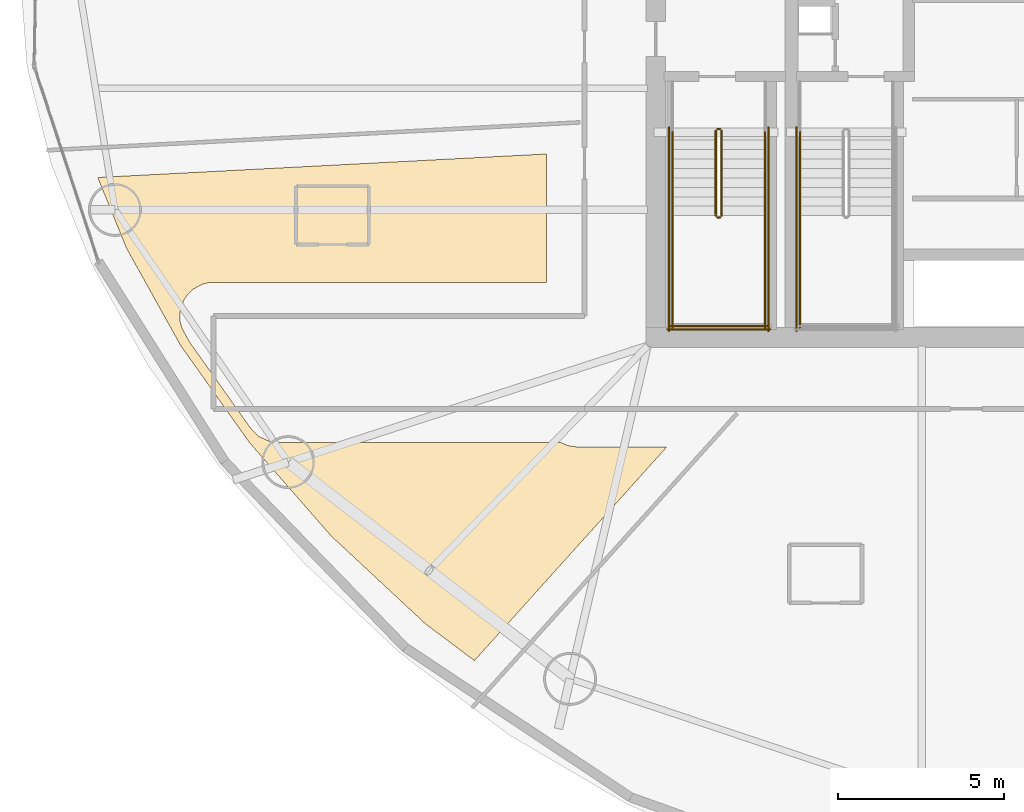
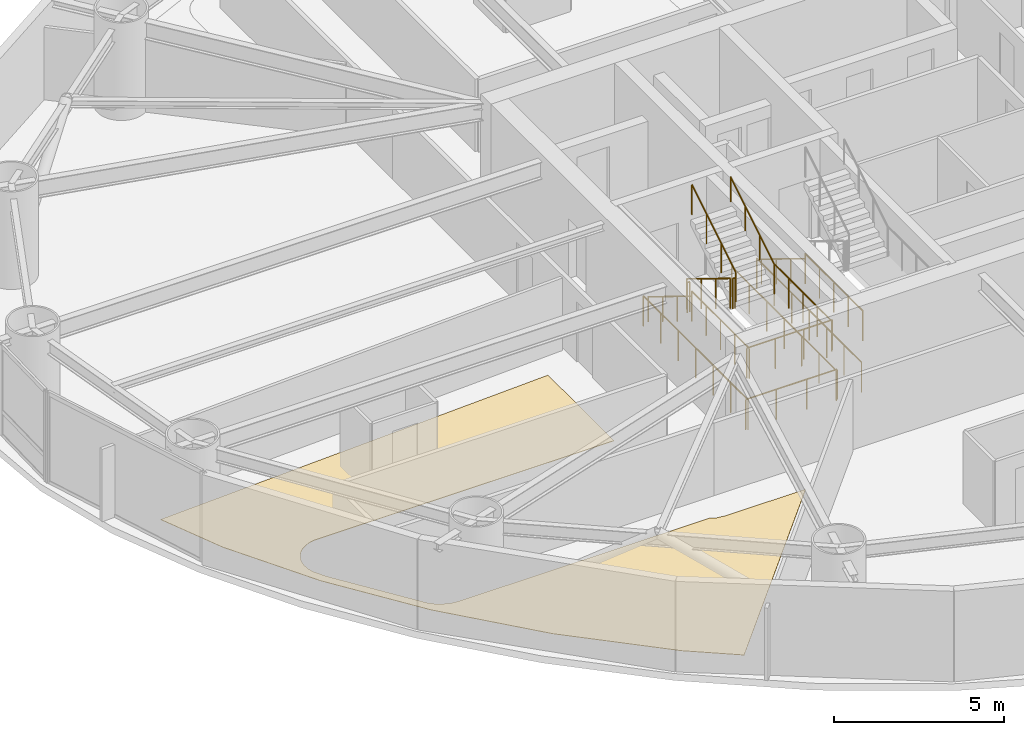
# One storey, part 21 of 24: 15 railings, 1 covering.
"""IFC4 building model written with IfcOpenShell, lengths in metres."""

import ifcopenshell
import ifcopenshell.guid

model = None  # the IFC model being written
_history = None  # IfcOwnerHistory: only IFC2X3 demands one
_inside = {}  # id of a spatial element -> (the spatial element, [elements in it])
_under = {}  # id of a project, library or spatial element -> (it, [spatial elements below it])
_declared = {}  # id of a project -> (the project, [libraries it declares])
_typed = {}  # id of a type object -> (the type object, [elements of that type])
_made_of = {}  # id of a material, layer set ... -> (it, [elements and type objects made of it])


def new_model(schema):
    """Start an empty IFC model of exactly this schema.

    Asked for "IFC4X3", IfcOpenShell would pick the latest addendum, in which some entities
    have other attributes; the version numbers below select the first issue.
    IFC2X3 requires an IfcOwnerHistory on every rooted entity: one is made here for all.
    """
    global model, _history
    if schema == "IFC4X3":
        model = ifcopenshell.file(schema_version=(4, 3, 0, 0))
    else:
        model = ifcopenshell.file(schema=schema)
    _inside.clear()
    _under.clear()
    _declared.clear()
    _typed.clear()
    _made_of.clear()
    _history = None
    if model.schema == "IFC2X3":
        org = make("IfcOrganization", Name="unknown")
        user = make(
            "IfcPersonAndOrganization",
            ThePerson=make("IfcPerson", FamilyName="unknown"),
            TheOrganization=org,
        )
        app = make(
            "IfcApplication",
            ApplicationDeveloper=org,
            Version="unknown",
            ApplicationFullName="unknown",
            ApplicationIdentifier="unknown",
        )
        _history = make(
            "IfcOwnerHistory",
            OwningUser=user,
            OwningApplication=app,
            ChangeAction="ADDED",
            CreationDate=0,
        )
    return model


def make(cls, **values):
    """One entity of the class cls with the attributes given. An attribute that is None is left unset."""
    return model.create_entity(
        cls, **{name: value for name, value in values.items() if value is not None}
    )


def rooted(cls, **values):
    """An entity with a GlobalId (a new one), such as an element, a storey or a relation."""
    return make(cls, GlobalId=ifcopenshell.guid.new(), OwnerHistory=_history, **values)


def si_unit(unit_type, name, prefix=None):
    """IfcSIUnit, for example si_unit("LENGTHUNIT", "METRE", prefix="MILLI")."""
    return make("IfcSIUnit", UnitType=unit_type, Prefix=prefix, Name=name)


def assignment(units):
    """IfcUnitAssignment: the units of a project."""
    return None if units is None else make("IfcUnitAssignment", Units=units)


def point(xyz):
    """IfcCartesianPoint."""
    return None if xyz is None else make("IfcCartesianPoint", Coordinates=xyz)


def direction(xyz):
    """IfcDirection."""
    return None if xyz is None else make("IfcDirection", DirectionRatios=xyz)


def frame(location, z_axis=None, x_axis=None):
    """IfcAxis2Placement3D, a coordinate frame: its origin and axes. An axis left out is left unset."""
    return make(
        "IfcAxis2Placement3D",
        Location=point(location),
        Axis=direction(z_axis),
        RefDirection=direction(x_axis),
    )


def frame_2d(location, x_axis=None):
    """IfcAxis2Placement2D, a coordinate frame in the plane: its origin and x axis."""
    return make(
        "IfcAxis2Placement2D", Location=point(location), RefDirection=direction(x_axis)
    )


def origin():
    """The frame at (0, 0, 0) with its axes left unset."""
    return frame((0.0, 0.0, 0.0))


def origin_2d():
    """The frame at (0, 0) in the plane with its x axis left unset."""
    return frame_2d((0.0, 0.0))


def place(relative_to, where):
    """IfcLocalPlacement: puts the frame where relative to a parent placement (None: the world)."""
    return make(
        "IfcLocalPlacement", PlacementRelTo=relative_to, RelativePlacement=where
    )


def context(
    kind, dimensions, precision=None, world=None, true_north=None, identifier=None
):
    """IfcGeometricRepresentationContext, for example the 3D "Model" context."""
    return make(
        "IfcGeometricRepresentationContext",
        ContextIdentifier=identifier,
        ContextType=kind,
        CoordinateSpaceDimension=dimensions,
        Precision=precision,
        WorldCoordinateSystem=world,
        TrueNorth=true_north,
    )


def subcontext(parent, identifier, kind, view, scale=None):
    """IfcGeometricRepresentationSubContext, for example "Body" below "Model"."""
    return make(
        "IfcGeometricRepresentationSubContext",
        ContextIdentifier=identifier,
        ContextType=kind,
        ParentContext=parent,
        TargetScale=scale,
        TargetView=view,
    )


def project(units=None, contexts=None):
    """IfcProject with its units and contexts."""
    return rooted(
        "IfcProject",
        Name="project",
        RepresentationContexts=contexts,
        UnitsInContext=assignment(units),
    )


def spatial(cls, under=None, at=None, **own):
    """A site, building, storey or space (cls), placed at a placement, below another one or the project."""
    s = rooted(cls, ObjectPlacement=at, **own)
    if under is not None:
        _under.setdefault(under.id(), (under, []))[1].append(s)
    return s


def polyline(points):
    """IfcPolyline through the points."""
    return make("IfcPolyline", Points=[point(p) for p in points])


def profile(cls, at=None, kind="AREA", **sizes):
    """A parametric profile (cls). Its sizes go by their IFC names, for example OverallWidth=200.0."""
    return make(cls, ProfileType=kind, Position=at, **sizes)


def circle(**sizes):
    """IfcCircleProfileDef."""
    return profile("IfcCircleProfileDef", **sizes)


def outline(outer, holes=None, kind="AREA"):
    """IfcArbitraryClosedProfileDef: a profile drawn as a closed curve; with holes, ...WithVoids."""
    if holes is None:
        return make("IfcArbitraryClosedProfileDef", ProfileType=kind, OuterCurve=outer)
    return make(
        "IfcArbitraryProfileDefWithVoids",
        ProfileType=kind,
        OuterCurve=outer,
        InnerCurves=holes,
    )


def extrude(swept, where, along, depth):
    """IfcExtrudedAreaSolid: the profile swept, set in the frame where, extruded along a direction by depth."""
    return make(
        "IfcExtrudedAreaSolid",
        SweptArea=swept,
        Position=where,
        ExtrudedDirection=direction(along),
        Depth=depth,
    )


def shape(context_of_items, identifier, shape_type, items):
    """IfcShapeRepresentation: the items that make up one representation, for example the "Body"."""
    return make(
        "IfcShapeRepresentation",
        ContextOfItems=context_of_items,
        RepresentationIdentifier=identifier,
        RepresentationType=shape_type,
        Items=items,
    )


def material(Name=None, Category=None):
    """IfcMaterial."""
    return make("IfcMaterial", Name=Name, Category=Category)


def layer(
    of_material, thickness, ventilated=None, Name=None, Category=None, Priority=None
):
    """IfcMaterialLayer: one layer of a wall or slab, of a material (None: an air gap)."""
    return make(
        "IfcMaterialLayer",
        Material=of_material,
        LayerThickness=thickness,
        IsVentilated=ventilated,
        Name=Name,
        Category=Category,
        Priority=Priority,
    )


def layer_set(layers, Name=None):
    """IfcMaterialLayerSet."""
    return make("IfcMaterialLayerSet", MaterialLayers=layers, LayerSetName=Name)


def made_of(thing, what):
    """Note that an element or type object is made of a material, layer set ...; save() writes the relation."""
    if what is not None:
        _made_of.setdefault(what.id(), (what, []))[1].append(thing)
    return thing


def type_object(cls, material=None, **own):
    """A type object (cls), such as IfcWallType, which elements share."""
    return made_of(rooted(cls, **own), material)


def element(
    cls,
    number,
    at=None,
    inside=None,
    cuts=None,
    type_object=None,
    material=None,
    context=None,
    identifier="Body",
    shape_type=None,
    held_by="IfcProductDefinitionShape",
    body=None,
    shapes=None,
    **own,
):
    """One element of the class cls, such as IfcWall. Its Tag is "e" and its number.

    at: its placement. inside: the storey or other place that contains it. cuts: it is an
    opening in that element (IfcRelVoidsElement). A single representation is given by context,
    identifier, shape_type and body (its items); several are given by shapes. held_by: the class
    of the entity that holds the representations. save() writes the other relations.
    """
    e = rooted(cls, Tag="e%d" % number, ObjectPlacement=at, **own)
    if body is not None:
        shapes = [shape(context, identifier, shape_type, body)]
    if shapes is not None:
        e.Representation = make(held_by, Representations=shapes)
    if inside is not None:
        _inside.setdefault(inside.id(), (inside, []))[1].append(e)
    if cuts is not None:
        rooted(
            "IfcRelVoidsElement", RelatingBuildingElement=cuts, RelatedOpeningElement=e
        )
    if type_object is not None:
        _typed.setdefault(type_object.id(), (type_object, []))[1].append(e)
    return made_of(e, material)


def aggregate(whole, parts):
    """IfcRelAggregates: a whole, such as a stair, and the parts it consists of."""
    return rooted("IfcRelAggregates", RelatingObject=whole, RelatedObjects=parts)


def save(model, path):
    """Write the relations noted so far, then the file.

    IfcRelAggregates (storeys below a building ...), IfcRelContainedInSpatialStructure (elements
    in a storey), IfcRelDefinesByType, IfcRelAssociatesMaterial and IfcRelDeclares: one each for
    every whole, place, type object, material and project.
    """
    for whole, parts in _under.values():
        aggregate(whole, parts)
    for where, things in _inside.values():
        rooted(
            "IfcRelContainedInSpatialStructure",
            RelatedElements=things,
            RelatingStructure=where,
        )
    for kind, things in _typed.values():
        rooted("IfcRelDefinesByType", RelatedObjects=things, RelatingType=kind)
    for what, things in _made_of.values():
        rooted("IfcRelAssociatesMaterial", RelatedObjects=things, RelatingMaterial=what)
    for by, libraries in _declared.values():
        rooted("IfcRelDeclares", RelatingContext=by, RelatedDefinitions=libraries)
    model.write(path)


model = new_model("IFC4")

# Units and contexts
model_context = context("Model", 3, precision=1e-05, world=origin(), true_north=direction((0.0, 1.0)))
body_context = subcontext(model_context, "Body", "Model", "MODEL_VIEW")
ifc_project = project(units=[si_unit("LENGTHUNIT", "METRE"), si_unit("AREAUNIT", "SQUARE_METRE"), si_unit("VOLUMEUNIT", "CUBIC_METRE"), si_unit("PLANEANGLEUNIT", "RADIAN"), si_unit("MASSUNIT", "GRAM", prefix="KILO")], contexts=[model_context])

# Site, building, storey
site_placement = place(None, origin())
site = spatial("IfcSite", under=ifc_project, at=site_placement, CompositionType="ELEMENT")
building_placement = place(site_placement, origin())
building = spatial("IfcBuilding", under=site, at=building_placement, Name="Bramvorn Convention Spire", CompositionType="ELEMENT")
storey_placement = place(building_placement, frame((0.0, 0.0, 83.39990234375)))
storey = spatial("IfcBuildingStorey", under=building, at=storey_placement, Name="L19", CompositionType="ELEMENT", Elevation=83.39990234375)

# Covering
ifc_material_1 = material(Name="Solution-Dyed Wool Broadloom Hospitality Carpet", Category="textile")
ifc_layer = layer(ifc_material_1, 0.014892578125)
ifc_layer_set = layer_set([ifc_layer], Name="Solution-Dyed Wool Broadloom Hospitality Carpet - FLR-CARPET-15")
covering_type = type_object("IfcCoveringType", Name="FLR-CARPET-15", PredefinedType="FLOORING", material=ifc_layer_set)
covering_placement = place(storey_placement, origin())
element("IfcCovering", 1, at=covering_placement, inside=storey, type_object=covering_type, Name="Hotel Suite 1905 wool broadloom carpet", PredefinedType="FLOORING", context=body_context, shape_type="SweptSolid", body=[
    extrude(outline(polyline([(11.009521484375, 21.500244140625), (12.64306640625, 18.565673828125), (14.71533203125, 15.639892578125), (17.194091796875, 12.80517578125), (20.041748046875, 10.15234375), (21.521240234375, 9.043701171875), (27.334716796875, 15.5), (24.60009765625, 15.5), (24.338623046875, 15.538818359375), (24.13623046875, 15.6298828125), (15.593017578125, 15.6298828125), (15.34619140625, 15.660400390625), (15.004638671875, 15.81689453125), (14.786376953125, 16.02587890625), (12.912353515625, 18.669921875), (12.68603515625, 19.085693359375), (12.6328125, 19.2802734375), (12.61962890625, 19.4931640625), (12.64794921875, 19.692626953125), (12.75634765625, 19.961669921875), (12.874267578125, 20.125244140625), (13.031494140625, 20.26953125), (13.28662109375, 20.4072265625), (13.49365234375, 20.45947265625), (23.699951171875, 20.469970703125), (23.699951171875, 24.349365234375), (10.14013671875, 23.638671875), (11.009521484375, 21.500244140625)])), origin(), (0.0, 0.0, 1.0), 0.01513671875),
])

# Railings
ifc_material_2 = material(Name="Painted Steel Balustrade & Guardrail", Category="steel")
railing_type_1 = type_object("IfcRailingType", Name="RL-STAIR-GUARD-1100", PredefinedType="GUARDRAIL", material=ifc_material_2)
railing_1_placement = place(storey_placement, frame((28.81005859375, 25.050048828125, 0.175048828125)))
element("IfcRailing", 2, at=railing_1_placement, inside=storey, type_object=railing_type_1, Name="L19 ST1 stair guard 1", PredefinedType="GUARDRAIL", context=body_context, shape_type="SweptSolid", body=[
    extrude(circle(Radius=0.02392578125, at=origin_2d()), frame((0.0, 0.0, 1.076171875), z_axis=(0.0, -0.852173129349, 0.523259933127), x_axis=(1.0, 0.0, 0.0)), (0.0, 0.0, 1.0), 3.009765625),
    extrude(circle(Radius=0.02099609375, at=origin_2d()), origin(), (0.0, 0.0, 1.0), 1.052001953125),
    extrude(circle(Radius=0.02099609375, at=origin_2d()), frame((0.0, -0.85498046875, 0.52490234375)), (0.0, 0.0, 1.0), 1.052001953125),
    extrude(circle(Radius=0.02099609375, at=origin_2d()), frame((0.0, -1.7099609375, 1.050048828125)), (0.0, 0.0, 1.0), 1.052001953125),
    extrude(circle(Radius=0.02099609375, at=origin_2d()), frame((0.0, -2.56494140625, 1.574951171875)), (0.0, 0.0, 1.0), 1.052001953125),
])
railing_2_placement = place(storey_placement, frame((28.860107421875, 22.43505859375, 1.75)))
element("IfcRailing", 3, at=railing_2_placement, inside=storey, type_object=railing_type_1, Name="L19 ST1 stair guard 2", PredefinedType="GUARDRAIL", context=body_context, shape_type="SweptSolid", body=[
    extrude(circle(Radius=0.02392578125, at=origin_2d()), frame((0.0, 0.0, 1.076171875), z_axis=(1.0, 0.0, 0.0), x_axis=(0.0, 1.0, 0.0)), (0.0, 0.0, 1.0), 0.079833984375),
    extrude(circle(Radius=0.02099609375, at=origin_2d()), origin(), (0.0, 0.0, 1.0), 1.052001953125),
    extrude(circle(Radius=0.02099609375, at=origin_2d()), frame((0.079833984375, 0.0, 0.0)), (0.0, 0.0, 1.0), 1.052001953125),
])
for number, where, name in (
    (4, (27.5, 22.485107421875, 1.75), "L19 ST1 stair guard 3"),
    (5, (30.300048828125, 22.485107421875, 1.75), "L19 ST1 stair guard 4"),
):
    element("IfcRailing", number, at=place(storey_placement, frame(where)), inside=storey, type_object=railing_type_1, Name=name, PredefinedType="GUARDRAIL", context=body_context, shape_type="SweptSolid", body=[
        extrude(circle(Radius=0.02392578125, at=origin_2d()), frame((0.0, 0.0, 1.076171875), z_axis=(0.0, -1.0, 0.0), x_axis=(1.0, 0.0, 0.0)), (0.0, 0.0, 1.0), 3.385009765625),
        extrude(circle(Radius=0.02099609375, at=origin_2d()), origin(), (0.0, 0.0, 1.0), 1.052001953125),
        extrude(circle(Radius=0.02099609375, at=origin_2d()), frame((0.0, -0.84619140625, 0.0)), (0.0, 0.0, 1.0), 1.052001953125),
        extrude(circle(Radius=0.02099609375, at=origin_2d()), frame((0.0, -1.6923828125, 0.0)), (0.0, 0.0, 1.0), 1.052001953125),
        extrude(circle(Radius=0.02099609375, at=origin_2d()), frame((0.0, -2.538818359375, 0.0)), (0.0, 0.0, 1.0), 1.052001953125),
        extrude(circle(Radius=0.02099609375, at=origin_2d()), frame((0.0, -3.385009765625, 0.0)), (0.0, 0.0, 1.0), 1.052001953125),
    ])
railing_3_placement = place(storey_placement, frame((27.449951171875, 19.14990234375, 1.75)))
element("IfcRailing", 6, at=railing_3_placement, inside=storey, type_object=railing_type_1, Name="L19 ST1 stair guard 5", PredefinedType="GUARDRAIL", context=body_context, shape_type="SweptSolid", body=[
    extrude(circle(Radius=0.02392578125, at=origin_2d()), frame((0.0, 0.0, 1.076171875), z_axis=(1.0, 0.0, 0.0), x_axis=(0.0, 1.0, 0.0)), (0.0, 0.0, 1.0), 2.900146484375),
    extrude(circle(Radius=0.02099609375, at=origin_2d()), origin(), (0.0, 0.0, 1.0), 1.052001953125),
    extrude(circle(Radius=0.02099609375, at=origin_2d()), frame((0.966796875, 0.0, 0.0)), (0.0, 0.0, 1.0), 1.052001953125),
    extrude(circle(Radius=0.02099609375, at=origin_2d()), frame((1.933349609375, 0.0, 0.0)), (0.0, 0.0, 1.0), 1.052001953125),
    extrude(circle(Radius=0.02099609375, at=origin_2d()), frame((2.900146484375, 0.0, 0.0)), (0.0, 0.0, 1.0), 1.052001953125),
])
railing_4_placement = place(storey_placement, frame((28.989990234375, 22.485107421875, 1.925048828125)))
element("IfcRailing", 7, at=railing_4_placement, inside=storey, type_object=railing_type_1, Name="L19 ST1 stair guard 6", PredefinedType="GUARDRAIL", context=body_context, shape_type="SweptSolid", body=[
    extrude(circle(Radius=0.02392578125, at=origin_2d()), frame((0.0, 0.0, 1.076171875), z_axis=(0.0, 0.852173129349, 0.523259933127), x_axis=(-1.0, 0.0, 0.0)), (0.0, 0.0, 1.0), 3.009765625),
    extrude(circle(Radius=0.02099609375, at=origin_2d()), origin(), (0.0, 0.0, 1.0), 1.052001953125),
    extrude(circle(Radius=0.02099609375, at=origin_2d()), frame((0.0, 0.85498046875, 0.52490234375)), (0.0, 0.0, 1.0), 1.052001953125),
    extrude(circle(Radius=0.02099609375, at=origin_2d()), frame((0.0, 1.7099609375, 1.050048828125)), (0.0, 0.0, 1.0), 1.052001953125),
    extrude(circle(Radius=0.02099609375, at=origin_2d()), frame((0.0, 2.56494140625, 1.574951171875)), (0.0, 0.0, 1.0), 1.052001953125),
])
railing_5_placement = place(storey_placement, frame((28.860107421875, 25.10009765625, 0.0)))
element("IfcRailing", 8, at=railing_5_placement, inside=storey, type_object=railing_type_1, Name="L19 ST1 stair guard 7", PredefinedType="GUARDRAIL", context=body_context, shape_type="SweptSolid", body=[
    extrude(circle(Radius=0.02392578125, at=origin_2d()), frame((0.0, 0.0, 1.076171875), z_axis=(1.0, 0.0, 0.0), x_axis=(0.0, 1.0, 0.0)), (0.0, 0.0, 1.0), 0.079833984375),
    extrude(circle(Radius=0.02099609375, at=origin_2d()), origin(), (0.0, 0.0, 1.0), 1.052001953125),
    extrude(circle(Radius=0.02099609375, at=origin_2d()), frame((0.079833984375, 0.0, 0.0)), (0.0, 0.0, 1.0), 1.052001953125),
])
for number, where, name in (
    (9, (27.39990234375, 25.14990234375, 0.0), "L19 ST1 stair guard 10"),
    (10, (30.39990234375, 25.14990234375, 0.0), "L19 ST1 stair guard 11"),
):
    element("IfcRailing", number, at=place(storey_placement, frame(where)), inside=storey, type_object=railing_type_1, Name=name, PredefinedType="GUARDRAIL", context=body_context, shape_type="SweptSolid", body=[
        extrude(circle(Radius=0.02392578125, at=origin_2d()), frame((0.0, 0.0, 1.076171875), z_axis=(0.0, -1.0, 0.0), x_axis=(1.0, 0.0, 0.0)), (0.0, 0.0, 1.0), 6.14990234375),
        extrude(circle(Radius=0.02099609375, at=origin_2d()), origin(), (0.0, 0.0, 1.0), 1.052001953125),
        extrude(circle(Radius=0.02099609375, at=origin_2d()), frame((0.0, -1.02490234375, 0.0)), (0.0, 0.0, 1.0), 1.052001953125),
        extrude(circle(Radius=0.02099609375, at=origin_2d()), frame((0.0, -2.050048828125, 0.0)), (0.0, 0.0, 1.0), 1.052001953125),
        extrude(circle(Radius=0.02099609375, at=origin_2d()), frame((0.0, -3.074951171875, 0.0)), (0.0, 0.0, 1.0), 1.052001953125),
        extrude(circle(Radius=0.02099609375, at=origin_2d()), frame((0.0, -4.099853515625, 0.0)), (0.0, 0.0, 1.0), 1.052001953125),
        extrude(circle(Radius=0.02099609375, at=origin_2d()), frame((0.0, -5.125, 0.0)), (0.0, 0.0, 1.0), 1.052001953125),
        extrude(circle(Radius=0.02099609375, at=origin_2d()), frame((0.0, -6.14990234375, 0.0)), (0.0, 0.0, 1.0), 1.052001953125),
    ])
railing_6_placement = place(storey_placement, frame((27.35009765625, 19.050048828125, 0.0)))
element("IfcRailing", 11, at=railing_6_placement, inside=storey, type_object=railing_type_1, Name="L19 ST1 stair guard 12", PredefinedType="GUARDRAIL", context=body_context, shape_type="SweptSolid", body=[
    extrude(circle(Radius=0.02392578125, at=origin_2d()), frame((0.0, 0.0, 1.076171875), z_axis=(1.0, 0.0, 0.0), x_axis=(0.0, 1.0, 0.0)), (0.0, 0.0, 1.0), 3.099853515625),
    extrude(circle(Radius=0.02099609375, at=origin_2d()), origin(), (0.0, 0.0, 1.0), 1.052001953125),
    extrude(circle(Radius=0.02099609375, at=origin_2d()), frame((1.033203125, 0.0, 0.0)), (0.0, 0.0, 1.0), 1.052001953125),
    extrude(circle(Radius=0.02099609375, at=origin_2d()), frame((2.066650390625, 0.0, 0.0)), (0.0, 0.0, 1.0), 1.052001953125),
    extrude(circle(Radius=0.02099609375, at=origin_2d()), frame((3.099853515625, 0.0, 0.0)), (0.0, 0.0, 1.0), 1.052001953125),
])
railing_7_placement = place(storey_placement, frame((31.35009765625, 22.485107421875, 1.75)))
element("IfcRailing", 12, at=railing_7_placement, inside=storey, type_object=railing_type_1, Name="L19 ST3 stair guard 3", PredefinedType="GUARDRAIL", context=body_context, shape_type="SweptSolid", body=[
    extrude(circle(Radius=0.02392578125, at=origin_2d()), frame((0.0, 0.0, 1.076171875), z_axis=(0.0, -1.0, 0.0), x_axis=(1.0, 0.0, 0.0)), (0.0, 0.0, 1.0), 3.385009765625),
    extrude(circle(Radius=0.02099609375, at=origin_2d()), origin(), (0.0, 0.0, 1.0), 1.052001953125),
    extrude(circle(Radius=0.02099609375, at=origin_2d()), frame((0.0, -0.84619140625, 0.0)), (0.0, 0.0, 1.0), 1.052001953125),
    extrude(circle(Radius=0.02099609375, at=origin_2d()), frame((0.0, -1.6923828125, 0.0)), (0.0, 0.0, 1.0), 1.052001953125),
    extrude(circle(Radius=0.02099609375, at=origin_2d()), frame((0.0, -2.538818359375, 0.0)), (0.0, 0.0, 1.0), 1.052001953125),
    extrude(circle(Radius=0.02099609375, at=origin_2d()), frame((0.0, -3.385009765625, 0.0)), (0.0, 0.0, 1.0), 1.052001953125),
])
railing_8_placement = place(storey_placement, frame((31.25, 25.14990234375, 0.0)))
element("IfcRailing", 13, at=railing_8_placement, inside=storey, type_object=railing_type_1, Name="L19 ST3 stair guard 10", PredefinedType="GUARDRAIL", context=body_context, shape_type="SweptSolid", body=[
    extrude(circle(Radius=0.02392578125, at=origin_2d()), frame((0.0, 0.0, 1.076171875), z_axis=(0.0, -1.0, 0.0), x_axis=(1.0, 0.0, 0.0)), (0.0, 0.0, 1.0), 6.14990234375),
    extrude(circle(Radius=0.02099609375, at=origin_2d()), origin(), (0.0, 0.0, 1.0), 1.052001953125),
    extrude(circle(Radius=0.02099609375, at=origin_2d()), frame((0.0, -1.02490234375, 0.0)), (0.0, 0.0, 1.0), 1.052001953125),
    extrude(circle(Radius=0.02099609375, at=origin_2d()), frame((0.0, -2.050048828125, 0.0)), (0.0, 0.0, 1.0), 1.052001953125),
    extrude(circle(Radius=0.02099609375, at=origin_2d()), frame((0.0, -3.074951171875, 0.0)), (0.0, 0.0, 1.0), 1.052001953125),
    extrude(circle(Radius=0.02099609375, at=origin_2d()), frame((0.0, -4.099853515625, 0.0)), (0.0, 0.0, 1.0), 1.052001953125),
    extrude(circle(Radius=0.02099609375, at=origin_2d()), frame((0.0, -5.125, 0.0)), (0.0, 0.0, 1.0), 1.052001953125),
    extrude(circle(Radius=0.02099609375, at=origin_2d()), frame((0.0, -6.14990234375, 0.0)), (0.0, 0.0, 1.0), 1.052001953125),
])
ifc_material_3 = material(Name="Brushed Bronze Tubular Handrail", Category="aluminium")
railing_type_2 = type_object("IfcRailingType", Name="RL-STAIR-HR-920", PredefinedType="HANDRAIL", material=ifc_material_3)
railing_9_placement = place(storey_placement, frame((27.5, 25.050048828125, 0.175048828125)))
element("IfcRailing", 14, at=railing_9_placement, inside=storey, type_object=railing_type_2, Name="L19 ST1 stair handrail 1", PredefinedType="HANDRAIL", context=body_context, shape_type="SweptSolid", body=[
    extrude(circle(Radius=0.02392578125, at=origin_2d()), frame((0.0, 0.0, 0.89599609375), z_axis=(0.0, -0.852173129349, 0.523259933127), x_axis=(1.0, 0.0, 0.0)), (0.0, 0.0, 1.0), 3.009765625),
    extrude(circle(Radius=0.02099609375, at=origin_2d()), origin(), (0.0, 0.0, 1.0), 0.871826171875),
    extrude(circle(Radius=0.02099609375, at=origin_2d()), frame((0.0, -0.85498046875, 0.52490234375)), (0.0, 0.0, 1.0), 0.871826171875),
    extrude(circle(Radius=0.02099609375, at=origin_2d()), frame((0.0, -1.7099609375, 1.050048828125)), (0.0, 0.0, 1.0), 0.871826171875),
    extrude(circle(Radius=0.02099609375, at=origin_2d()), frame((0.0, -2.56494140625, 1.574951171875)), (0.0, 0.0, 1.0), 0.871826171875),
])
railing_10_placement = place(storey_placement, frame((30.300048828125, 22.485107421875, 1.925048828125)))
element("IfcRailing", 15, at=railing_10_placement, inside=storey, type_object=railing_type_2, Name="L19 ST1 stair handrail 2", PredefinedType="HANDRAIL", context=body_context, shape_type="SweptSolid", body=[
    extrude(circle(Radius=0.02392578125, at=origin_2d()), frame((0.0, 0.0, 0.89599609375), z_axis=(0.0, 0.852173129349, 0.523259933127), x_axis=(-1.0, 0.0, 0.0)), (0.0, 0.0, 1.0), 3.009765625),
    extrude(circle(Radius=0.02099609375, at=origin_2d()), origin(), (0.0, 0.0, 1.0), 0.871826171875),
    extrude(circle(Radius=0.02099609375, at=origin_2d()), frame((0.0, 0.85498046875, 0.52490234375)), (0.0, 0.0, 1.0), 0.871826171875),
    extrude(circle(Radius=0.02099609375, at=origin_2d()), frame((0.0, 1.7099609375, 1.050048828125)), (0.0, 0.0, 1.0), 0.871826171875),
    extrude(circle(Radius=0.02099609375, at=origin_2d()), frame((0.0, 2.56494140625, 1.574951171875)), (0.0, 0.0, 1.0), 0.871826171875),
])
railing_11_placement = place(storey_placement, frame((31.35009765625, 25.050048828125, 0.175048828125)))
element("IfcRailing", 16, at=railing_11_placement, inside=storey, type_object=railing_type_2, Name="L19 ST3 stair handrail 1", PredefinedType="HANDRAIL", context=body_context, shape_type="SweptSolid", body=[
    extrude(circle(Radius=0.02392578125, at=origin_2d()), frame((0.0, 0.0, 0.89599609375), z_axis=(0.0, -0.852173129349, 0.523259933127), x_axis=(1.0, 0.0, 0.0)), (0.0, 0.0, 1.0), 3.009765625),
    extrude(circle(Radius=0.02099609375, at=origin_2d()), origin(), (0.0, 0.0, 1.0), 0.871826171875),
    extrude(circle(Radius=0.02099609375, at=origin_2d()), frame((0.0, -0.85498046875, 0.52490234375)), (0.0, 0.0, 1.0), 0.871826171875),
    extrude(circle(Radius=0.02099609375, at=origin_2d()), frame((0.0, -1.7099609375, 1.050048828125)), (0.0, 0.0, 1.0), 0.871826171875),
    extrude(circle(Radius=0.02099609375, at=origin_2d()), frame((0.0, -2.56494140625, 1.574951171875)), (0.0, 0.0, 1.0), 0.871826171875),
])

save(model, "model.ifc")
